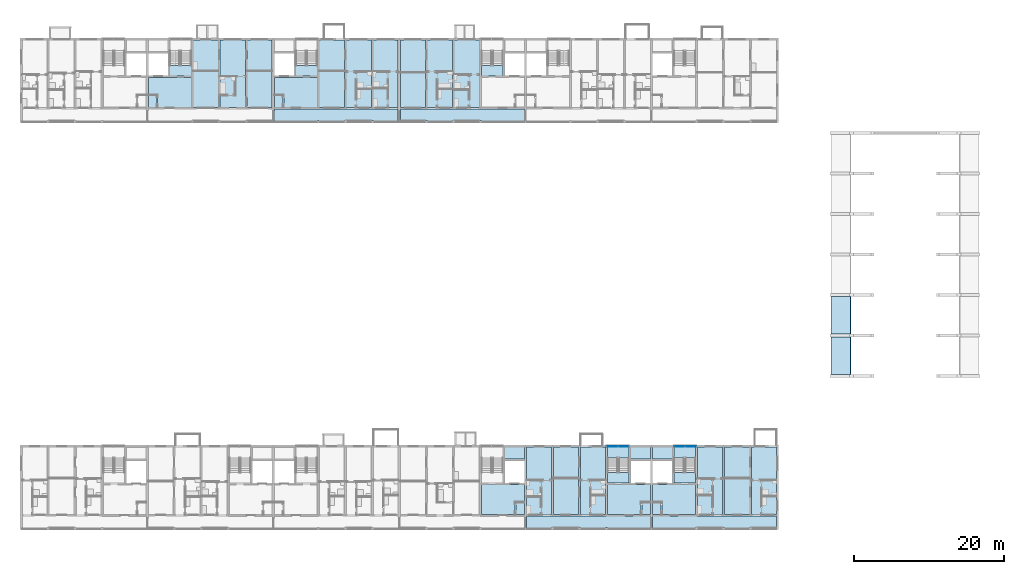
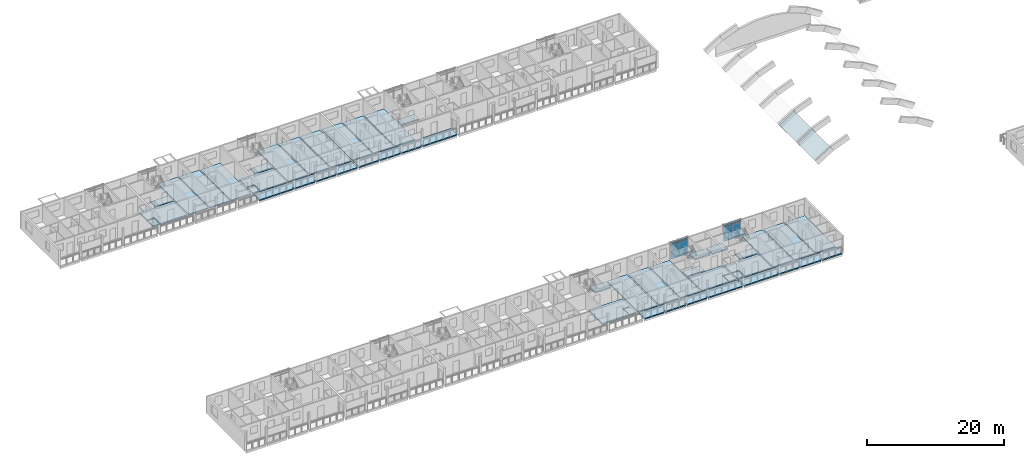
# One storey, part 22 of 99: 41 slabs, 8 plates, 4 elements without a shape of their own.
"""IFC4 building model written with IfcOpenShell, lengths in metres."""

from ifc_helpers import new_model, si_unit, direction, frame, origin, origin_2d, place, context, subcontext, project, spatial, polyline, rectangle, outline, extrude, material, layer, layer_set, type_object, element, aggregate, save


model = new_model("IFC4")

# Units and contexts
model_context = context("Model", 3, precision=1e-05, world=origin(), true_north=direction((0.0, 1.0)))
body_context = subcontext(model_context, "Body", "Model", "MODEL_VIEW")
ifc_project = project(units=[si_unit("LENGTHUNIT", "METRE"), si_unit("AREAUNIT", "SQUARE_METRE"), si_unit("VOLUMEUNIT", "CUBIC_METRE"), si_unit("PLANEANGLEUNIT", "RADIAN"), si_unit("MASSUNIT", "GRAM", prefix="KILO")], contexts=[model_context])

# Site, building, storey
site_placement = place(None, origin())
site = spatial("IfcSite", under=ifc_project, at=site_placement, CompositionType="ELEMENT")
building_placement = place(site_placement, origin())
building = spatial("IfcBuilding", under=site, at=building_placement, Name="Ridgestep Commons", CompositionType="ELEMENT")
storey_placement = place(building_placement, frame((0.0, 0.0, 15.0)))
storey = spatial("IfcBuildingStorey", under=building, at=storey_placement, Name="L05", CompositionType="ELEMENT", Elevation=15.0)

# Slabs
ifc_material_1 = material(Name="Precast concrete C40/50", Category="concrete")
ifc_layer_1 = layer(ifc_material_1, 0.199951171875)
ifc_layer_set_1 = layer_set([ifc_layer_1], Name="Gallery slab 200")
slab_type_1 = type_object("IfcSlabType", Name="Gallery slab 200", PredefinedType="FLOOR", material=ifc_layer_set_1)
slab_1_placement = place(storey_placement, frame((0.0, 0.0, -0.199951171875)))
element("IfcSlab", 1, at=slab_1_placement, inside=storey, type_object=slab_type_1, Name="Gallery slab A5 L05", PredefinedType="FLOOR", context=body_context, shape_type="SweptSolid", body=[
    extrude(outline(polyline([(95.85009765625, 13.550048828125), (79.35009765625, 13.550048828125), (79.35009765625, 11.75), (82.675048828125, 11.75), (82.675048828125, 12.0), (82.925048828125, 12.0), (82.925048828125, 11.75), (86.27490234375, 11.75), (86.27490234375, 12.0), (86.52490234375, 12.0), (86.52490234375, 11.75), (89.875, 11.75), (89.875, 12.0), (90.125, 12.0), (90.125, 11.75), (95.85009765625, 11.75), (95.85009765625, 13.550048828125)])), origin(), (0.0, 0.0, 1.0), 0.199951171875),
])
slab_2_placement = place(storey_placement, frame((0.0, 0.0, -0.199951171875)))
element("IfcSlab", 2, at=slab_2_placement, inside=storey, type_object=slab_type_1, Name="Gallery slab A6 L05", PredefinedType="FLOOR", context=body_context, shape_type="SweptSolid", body=[
    extrude(outline(polyline([(112.64990234375, 13.550048828125), (96.14990234375, 13.550048828125), (96.14990234375, 11.75), (101.875, 11.75), (101.875, 12.0), (102.125, 12.0), (102.125, 11.75), (105.47509765625, 11.75), (105.47509765625, 12.0), (105.72509765625, 12.0), (105.72509765625, 11.75), (109.074951171875, 11.75), (109.074951171875, 12.0), (109.324951171875, 12.0), (109.324951171875, 11.75), (112.64990234375, 11.75), (112.64990234375, 13.550048828125)])), origin(), (0.0, 0.0, 1.0), 0.199951171875),
])
slab_3_placement = place(storey_placement, frame((0.0, 0.0, -0.199951171875)))
element("IfcSlab", 3, at=slab_3_placement, inside=storey, type_object=slab_type_1, Name="Gallery slab B3 L05", PredefinedType="FLOOR", context=body_context, shape_type="SweptSolid", body=[
    extrude(outline(polyline([(62.25, 67.800048828125), (45.75, 67.800048828125), (45.75, 66.0), (51.47509765625, 66.0), (51.47509765625, 66.25), (51.72509765625, 66.25), (51.72509765625, 66.0), (55.074951171875, 66.0), (55.074951171875, 66.25), (55.324951171875, 66.25), (55.324951171875, 66.0), (58.675048828125, 66.0), (58.675048828125, 66.25), (58.925048828125, 66.25), (58.925048828125, 66.0), (62.25, 66.0), (62.25, 67.800048828125)])), origin(), (0.0, 0.0, 1.0), 0.199951171875),
])
slab_4_placement = place(storey_placement, frame((0.0, 0.0, -0.199951171875)))
element("IfcSlab", 4, at=slab_4_placement, inside=storey, type_object=slab_type_1, Name="Gallery slab B4 L05", PredefinedType="FLOOR", context=body_context, shape_type="SweptSolid", body=[
    extrude(outline(polyline([(79.050048828125, 67.800048828125), (62.550048828125, 67.800048828125), (62.550048828125, 66.0), (65.875, 66.0), (65.875, 66.25), (66.125, 66.25), (66.125, 66.0), (69.47509765625, 66.0), (69.47509765625, 66.25), (69.72509765625, 66.25), (69.72509765625, 66.0), (73.074951171875, 66.0), (73.074951171875, 66.25), (73.324951171875, 66.25), (73.324951171875, 66.0), (79.050048828125, 66.0), (79.050048828125, 67.800048828125)])), origin(), (0.0, 0.0, 1.0), 0.199951171875),
])

# Curtain wall, plates
ifc_material_2 = material(Name="Aluminium 6063-T6 and glass", Category="aluminium")
curtain_wall_type = type_object("IfcCurtainWallType", Name="Curtain wall stair strip", PredefinedType="NOTDEFINED", material=ifc_material_2)
curtain_wall_1_placement = place(storey_placement, origin())
curtain_wall_1 = element("IfcCurtainWall", 5, at=curtain_wall_1_placement, inside=storey, type_object=curtain_wall_type, Name="Curtain wall A5C level 05", PredefinedType="NOTDEFINED")
ifc_material_3 = material(Name="Glass laminated 6/16/6 low-emissivity", Category="glass")
ifc_layer_2 = layer(ifc_material_3, 0.028076171875)
ifc_layer_set_2 = layer_set([ifc_layer_2], Name="Glazing panel 28")
plate_type_1 = type_object("IfcPlateType", Name="Glazing panel 28", PredefinedType="CURTAIN_PANEL", material=ifc_layer_set_2)
plate_1_placement = place(storey_placement, frame((90.771240234375, 22.830078125, 0.06005859375), z_axis=(0.0, 0.0, 1.0), x_axis=(1.0, 0.0, 0.0)))
plate_1 = element("IfcPlate", 6, at=plate_1_placement, type_object=plate_type_1, Name="CW1 panel 1.1", PredefinedType="CURTAIN_PANEL", context=body_context, shape_type="SweptSolid", body=[
    extrude(rectangle(XDim=1.422607421875, YDim=0.028076171875, at=origin_2d()), origin(), (0.0, 0.0, 1.0), 2.5),
])
plate_2_placement = place(storey_placement, frame((92.253662109375, 22.830078125, 0.06005859375), z_axis=(0.0, 0.0, 1.0), x_axis=(1.0, 0.0, 0.0)))
plate_2 = element("IfcPlate", 7, at=plate_2_placement, type_object=plate_type_1, Name="CW1 panel 2.1", PredefinedType="CURTAIN_PANEL", context=body_context, shape_type="SweptSolid", body=[
    extrude(rectangle(XDim=1.422607421875, YDim=0.028076171875, at=origin_2d()), origin(), (0.0, 0.0, 1.0), 2.5),
])

curtain_wall_2_placement = place(storey_placement, origin())
curtain_wall_2 = element("IfcCurtainWall", 8, at=curtain_wall_2_placement, inside=storey, type_object=curtain_wall_type, Name="Curtain wall A6C level 05", PredefinedType="NOTDEFINED")
plate_3_placement = place(storey_placement, frame((99.746337890625, 22.830078125, 0.06005859375), z_axis=(0.0, 0.0, 1.0), x_axis=(1.0, 0.0, 0.0)))
plate_3 = element("IfcPlate", 9, at=plate_3_placement, type_object=plate_type_1, Name="CW1 panel 1.1", PredefinedType="CURTAIN_PANEL", context=body_context, shape_type="SweptSolid", body=[
    extrude(rectangle(XDim=1.422607421875, YDim=0.028076171875, at=origin_2d()), origin(), (0.0, 0.0, 1.0), 2.5),
])
plate_4_placement = place(storey_placement, frame((101.228759765625, 22.830078125, 0.06005859375), z_axis=(0.0, 0.0, 1.0), x_axis=(1.0, 0.0, 0.0)))
plate_4 = element("IfcPlate", 10, at=plate_4_placement, type_object=plate_type_1, Name="CW1 panel 2.1", PredefinedType="CURTAIN_PANEL", context=body_context, shape_type="SweptSolid", body=[
    extrude(rectangle(XDim=1.422607421875, YDim=0.028076171875, at=origin_2d()), origin(), (0.0, 0.0, 1.0), 2.5),
])

# Slabs
ifc_material_4 = material(Name="Precast concrete C50/60", Category="concrete")
ifc_layer_3 = layer(ifc_material_4, 0.199951171875)
ifc_layer_set_3 = layer_set([ifc_layer_3], Name="Hall roof plank 200")
slab_type_2 = type_object("IfcSlabType", Name="Hall roof plank 200", PredefinedType="ROOF", material=ifc_layer_set_3)
for number, where, z_axis, x_axis, name in (
    (11, (119.943115234375, 32.39990234375, 1.408935546875), (-0.531363741052, 0.0, 0.847143774512), (0.847143774512, 0.0, 0.531363741052), "Hall barrel vault panel 4"),
    (12, (119.943115234375, 37.800048828125, 1.408935546875), (-0.531363741052, 0.0, 0.847143774512), (0.847143774512, 0.0, 0.531363741052), "Hall barrel vault panel 16"),
):
    element("IfcSlab", number, at=place(storey_placement, frame(where, z_axis=z_axis, x_axis=x_axis)), inside=storey, type_object=slab_type_2, Name=name, PredefinedType="ROOF", context=body_context, shape_type="SweptSolid", body=[
        extrude(outline(polyline([(0.0, 0.0), (3.021411936803373, 0.0), (3.021411936803373, 5.0), (0.0, 5.0), (0.0, 0.0)])), origin(), (0.0, 0.0, -1.0), 0.199951171875),
    ])
ifc_material_5 = material(Name="Precast concrete C50/60", Category="concrete")
ifc_layer_4 = layer(ifc_material_5, 0.199951171875)
ifc_layer_set_4 = layer_set([ifc_layer_4], Name="Hollow-core plank 200")
slab_type_3 = type_object("IfcSlabType", Name="Hollow-core plank 200", PredefinedType="FLOOR", material=ifc_layer_set_4)
slab_5_placement = place(storey_placement, frame((0.0, 0.0, -0.199951171875)))
element("IfcSlab", 13, at=slab_5_placement, inside=storey, type_object=slab_type_3, Name="Floor plank A5T1 L05", PredefinedType="FLOOR", context=body_context, shape_type="SweptSolid", body=[
    extrude(outline(polyline([(82.675048828125, 13.75), (82.675048828125, 22.75), (79.35009765625, 22.75), (79.35009765625, 13.75), (82.675048828125, 13.75)])), origin(), (0.0, 0.0, 1.0), 0.199951171875),
])
slab_6_placement = place(storey_placement, frame((0.0, 0.0, -0.199951171875)))
element("IfcSlab", 14, at=slab_6_placement, inside=storey, type_object=slab_type_3, Name="Floor plank A5T2 L05", PredefinedType="FLOOR", context=body_context, shape_type="SweptSolid", body=[
    extrude(outline(polyline([(86.27490234375, 13.75), (86.27490234375, 22.75), (82.925048828125, 22.75), (82.925048828125, 13.75), (86.27490234375, 13.75)])), origin(), (0.0, 0.0, 1.0), 0.199951171875),
])
slab_7_placement = place(storey_placement, frame((0.0, 0.0, -0.199951171875)))
element("IfcSlab", 15, at=slab_7_placement, inside=storey, type_object=slab_type_3, Name="Floor plank A5T3 L05", PredefinedType="FLOOR", context=body_context, shape_type="SweptSolid", body=[
    extrude(outline(polyline([(89.875, 13.75), (89.875, 22.75), (86.52490234375, 22.75), (86.52490234375, 13.75), (89.875, 13.75)])), origin(), (0.0, 0.0, 1.0), 0.199951171875),
])
slab_8_placement = place(storey_placement, frame((0.0, 0.0, -0.199951171875)))
element("IfcSlab", 16, at=slab_8_placement, inside=storey, type_object=slab_type_3, Name="Floor plank A6T3 L05", PredefinedType="FLOOR", context=body_context, shape_type="SweptSolid", body=[
    extrude(outline(polyline([(105.47509765625, 13.75), (105.47509765625, 22.75), (102.125, 22.75), (102.125, 13.75), (105.47509765625, 13.75)])), origin(), (0.0, 0.0, 1.0), 0.199951171875),
])
slab_9_placement = place(storey_placement, frame((0.0, 0.0, -0.199951171875)))
element("IfcSlab", 17, at=slab_9_placement, inside=storey, type_object=slab_type_3, Name="Floor plank A6T2 L05", PredefinedType="FLOOR", context=body_context, shape_type="SweptSolid", body=[
    extrude(outline(polyline([(109.10009765625, 13.75), (109.10009765625, 22.75), (105.72509765625, 22.75), (105.72509765625, 13.75), (109.10009765625, 13.75)])), origin(), (0.0, 0.0, 1.0), 0.199951171875),
])
slab_10_placement = place(storey_placement, frame((0.0, 0.0, -0.199951171875)))
element("IfcSlab", 18, at=slab_10_placement, inside=storey, type_object=slab_type_3, Name="Floor plank A6T1 L05", PredefinedType="FLOOR", context=body_context, shape_type="SweptSolid", body=[
    extrude(outline(polyline([(112.64990234375, 13.75), (112.64990234375, 22.75), (109.300048828125, 22.75), (109.300048828125, 13.75), (112.64990234375, 13.75)])), origin(), (0.0, 0.0, 1.0), 0.199951171875),
])
slab_11_placement = place(storey_placement, frame((0.0, 0.0, -0.199951171875)))
element("IfcSlab", 19, at=slab_11_placement, inside=storey, type_object=slab_type_3, Name="Floor plank B2T3 L05", PredefinedType="FLOOR", context=body_context, shape_type="SweptSolid", body=[
    extrude(outline(polyline([(38.300048828125, 68.0), (38.300048828125, 77.0), (34.925048828125, 77.0), (34.925048828125, 68.0), (38.300048828125, 68.0)])), origin(), (0.0, 0.0, 1.0), 0.199951171875),
])
slab_12_placement = place(storey_placement, frame((0.0, 0.0, -0.199951171875)))
element("IfcSlab", 20, at=slab_12_placement, inside=storey, type_object=slab_type_3, Name="Floor plank B2T2 L05", PredefinedType="FLOOR", context=body_context, shape_type="SweptSolid", body=[
    extrude(outline(polyline([(41.89990234375, 68.0), (41.89990234375, 77.0), (38.5, 77.0), (38.5, 68.0), (41.89990234375, 68.0)])), origin(), (0.0, 0.0, 1.0), 0.199951171875),
])
slab_13_placement = place(storey_placement, frame((0.0, 0.0, -0.199951171875)))
element("IfcSlab", 21, at=slab_13_placement, inside=storey, type_object=slab_type_3, Name="Floor plank B2T1 L05", PredefinedType="FLOOR", context=body_context, shape_type="SweptSolid", body=[
    extrude(outline(polyline([(45.449951171875, 68.0), (45.449951171875, 77.0), (42.10009765625, 77.0), (42.10009765625, 68.0), (45.449951171875, 68.0)])), origin(), (0.0, 0.0, 1.0), 0.199951171875),
])
slab_14_placement = place(storey_placement, frame((0.0, 0.0, -0.199951171875)))
element("IfcSlab", 22, at=slab_14_placement, inside=storey, type_object=slab_type_3, Name="Floor plank B3T3 L05", PredefinedType="FLOOR", context=body_context, shape_type="SweptSolid", body=[
    extrude(outline(polyline([(55.10009765625, 68.0), (55.10009765625, 77.0), (51.72509765625, 77.0), (51.72509765625, 68.0), (55.10009765625, 68.0)])), origin(), (0.0, 0.0, 1.0), 0.199951171875),
])
slab_15_placement = place(storey_placement, frame((0.0, 0.0, -0.199951171875)))
element("IfcSlab", 23, at=slab_15_placement, inside=storey, type_object=slab_type_3, Name="Floor plank B3T2 L05", PredefinedType="FLOOR", context=body_context, shape_type="SweptSolid", body=[
    extrude(outline(polyline([(58.699951171875, 68.0), (58.699951171875, 77.0), (55.300048828125, 77.0), (55.300048828125, 68.0), (58.699951171875, 68.0)])), origin(), (0.0, 0.0, 1.0), 0.199951171875),
])
slab_16_placement = place(storey_placement, frame((0.0, 0.0, -0.199951171875)))
element("IfcSlab", 24, at=slab_16_placement, inside=storey, type_object=slab_type_3, Name="Floor plank B3T1 L05", PredefinedType="FLOOR", context=body_context, shape_type="SweptSolid", body=[
    extrude(outline(polyline([(62.25, 68.0), (62.25, 77.0), (58.89990234375, 77.0), (58.89990234375, 68.0), (62.25, 68.0)])), origin(), (0.0, 0.0, 1.0), 0.199951171875),
])
slab_17_placement = place(storey_placement, frame((0.0, 0.0, -0.199951171875)))
element("IfcSlab", 25, at=slab_17_placement, inside=storey, type_object=slab_type_3, Name="Floor plank B4T1 L05", PredefinedType="FLOOR", context=body_context, shape_type="SweptSolid", body=[
    extrude(outline(polyline([(65.89990234375, 68.0), (65.89990234375, 77.0), (62.550048828125, 77.0), (62.550048828125, 68.0), (65.89990234375, 68.0)])), origin(), (0.0, 0.0, 1.0), 0.199951171875),
])
slab_18_placement = place(storey_placement, frame((0.0, 0.0, -0.199951171875)))
element("IfcSlab", 26, at=slab_18_placement, inside=storey, type_object=slab_type_3, Name="Floor plank B4T2 L05", PredefinedType="FLOOR", context=body_context, shape_type="SweptSolid", body=[
    extrude(outline(polyline([(69.5, 68.0), (69.5, 77.0), (66.10009765625, 77.0), (66.10009765625, 68.0), (69.5, 68.0)])), origin(), (0.0, 0.0, 1.0), 0.199951171875),
])
slab_19_placement = place(storey_placement, frame((0.0, 0.0, -0.199951171875)))
element("IfcSlab", 27, at=slab_19_placement, inside=storey, type_object=slab_type_3, Name="Floor plank B4T3 L05", PredefinedType="FLOOR", context=body_context, shape_type="SweptSolid", body=[
    extrude(outline(polyline([(73.074951171875, 68.0), (73.074951171875, 77.0), (69.699951171875, 77.0), (69.699951171875, 68.0), (73.074951171875, 68.0)])), origin(), (0.0, 0.0, 1.0), 0.199951171875),
])
ifc_material_6 = material(Name="Precast concrete C50/60", Category="concrete")
ifc_layer_5 = layer(ifc_material_6, 0.25)
ifc_layer_set_5 = layer_set([ifc_layer_5], Name="Hollow-core plank 250")
slab_type_4 = type_object("IfcSlabType", Name="Hollow-core plank 250", PredefinedType="FLOOR", material=ifc_layer_set_5)
slab_20_placement = place(storey_placement, frame((0.0, 0.0, -0.25)))
element("IfcSlab", 28, at=slab_20_placement, inside=storey, type_object=slab_type_4, Name="Floor plank A4C L05", PredefinedType="FLOOR", context=body_context, shape_type="SweptSolid", body=[
    extrude(outline(polyline([(77.919921875, 15.469970703125), (79.050048828125, 15.469970703125), (79.050048828125, 17.75), (73.324951171875, 17.75), (73.324951171875, 13.75), (77.800048828125, 13.75), (77.800048828125, 15.469970703125), (77.919921875, 15.469970703125)])), origin(), (0.0, 0.0, 1.0), 0.25),
])
slab_21_placement = place(storey_placement, frame((0.0, 0.0, -0.25)))
element("IfcSlab", 29, at=slab_21_placement, inside=storey, type_object=slab_type_4, Name="Floor plank A4C L05", PredefinedType="FLOOR", context=body_context, shape_type="SweptSolid", body=[
    extrude(outline(polyline([(79.050048828125, 21.14990234375), (79.050048828125, 22.75), (76.425048828125, 22.75), (76.425048828125, 21.14990234375), (79.050048828125, 21.14990234375)])), origin(), (0.0, 0.0, 1.0), 0.25),
])
slab_22_placement = place(storey_placement, frame((0.0, 0.0, -0.25)))
element("IfcSlab", 30, at=slab_22_placement, inside=storey, type_object=slab_type_4, Name="Floor plank A4C L05", PredefinedType="FLOOR", context=body_context, shape_type="SweptSolid", body=[
    extrude(outline(polyline([(77.919921875, 13.75), (79.050048828125, 13.75), (79.050048828125, 15.35009765625), (77.919921875, 15.35009765625), (77.919921875, 13.75)])), origin(), (0.0, 0.0, 1.0), 0.25),
])
slab_23_placement = place(storey_placement, frame((0.0, 0.0, -0.25)))
element("IfcSlab", 31, at=slab_23_placement, inside=storey, type_object=slab_type_4, Name="Floor plank A5C L05", PredefinedType="FLOOR", context=body_context, shape_type="SweptSolid", body=[
    extrude(outline(polyline([(94.719970703125, 15.469970703125), (95.85009765625, 15.469970703125), (95.85009765625, 17.75), (90.125, 17.75), (90.125, 13.75), (94.60009765625, 13.75), (94.60009765625, 15.469970703125), (94.719970703125, 15.469970703125)])), origin(), (0.0, 0.0, 1.0), 0.25),
])
slab_24_placement = place(storey_placement, frame((0.0, 0.0, -0.25)))
element("IfcSlab", 32, at=slab_24_placement, inside=storey, type_object=slab_type_4, Name="Floor plank A5C L05", PredefinedType="FLOOR", context=body_context, shape_type="SweptSolid", body=[
    extrude(outline(polyline([(95.85009765625, 21.14990234375), (95.85009765625, 22.75), (93.22509765625, 22.75), (93.22509765625, 21.14990234375), (95.85009765625, 21.14990234375)])), origin(), (0.0, 0.0, 1.0), 0.25),
])
slab_25_placement = place(storey_placement, frame((0.0, 0.0, -0.25)))
element("IfcSlab", 33, at=slab_25_placement, inside=storey, type_object=slab_type_4, Name="Floor plank A5C L05", PredefinedType="FLOOR", context=body_context, shape_type="SweptSolid", body=[
    extrude(outline(polyline([(93.02490234375, 17.949951171875), (93.02490234375, 19.35009765625), (90.125, 19.35009765625), (90.125, 17.949951171875), (93.02490234375, 17.949951171875)])), origin(), (0.0, 0.0, 1.0), 0.25),
])
slab_26_placement = place(storey_placement, frame((0.0, 0.0, -0.25)))
element("IfcSlab", 34, at=slab_26_placement, inside=storey, type_object=slab_type_4, Name="Floor plank A5C L05", PredefinedType="FLOOR", context=body_context, shape_type="SweptSolid", body=[
    extrude(outline(polyline([(94.719970703125, 13.75), (95.85009765625, 13.75), (95.85009765625, 15.35009765625), (94.719970703125, 15.35009765625), (94.719970703125, 13.75)])), origin(), (0.0, 0.0, 1.0), 0.25),
])
slab_27_placement = place(storey_placement, frame((0.0, 0.0, -0.25)))
element("IfcSlab", 35, at=slab_27_placement, inside=storey, type_object=slab_type_4, Name="Floor plank A6C L05", PredefinedType="FLOOR", context=body_context, shape_type="SweptSolid", body=[
    extrude(outline(polyline([(97.39990234375, 13.75), (101.875, 13.75), (101.875, 17.75), (96.14990234375, 17.75), (96.14990234375, 15.469970703125), (97.280029296875, 15.469970703125), (97.39990234375, 15.469970703125), (97.39990234375, 13.75)])), origin(), (0.0, 0.0, 1.0), 0.25),
])
slab_28_placement = place(storey_placement, frame((0.0, 0.0, -0.25)))
element("IfcSlab", 36, at=slab_28_placement, inside=storey, type_object=slab_type_4, Name="Floor plank A6C L05", PredefinedType="FLOOR", context=body_context, shape_type="SweptSolid", body=[
    extrude(outline(polyline([(98.77490234375, 22.75), (96.14990234375, 22.75), (96.14990234375, 21.14990234375), (98.77490234375, 21.14990234375), (98.77490234375, 22.75)])), origin(), (0.0, 0.0, 1.0), 0.25),
])
slab_29_placement = place(storey_placement, frame((0.0, 0.0, -0.25)))
element("IfcSlab", 37, at=slab_29_placement, inside=storey, type_object=slab_type_4, Name="Floor plank A6C L05", PredefinedType="FLOOR", context=body_context, shape_type="SweptSolid", body=[
    extrude(outline(polyline([(101.875, 17.949951171875), (101.875, 19.35009765625), (98.97509765625, 19.35009765625), (98.97509765625, 17.949951171875), (101.875, 17.949951171875)])), origin(), (0.0, 0.0, 1.0), 0.25),
])
slab_30_placement = place(storey_placement, frame((0.0, 0.0, -0.25)))
element("IfcSlab", 38, at=slab_30_placement, inside=storey, type_object=slab_type_4, Name="Floor plank A6C L05", PredefinedType="FLOOR", context=body_context, shape_type="SweptSolid", body=[
    extrude(outline(polyline([(97.280029296875, 15.35009765625), (96.14990234375, 15.35009765625), (96.14990234375, 13.75), (97.280029296875, 13.75), (97.280029296875, 15.35009765625)])), origin(), (0.0, 0.0, 1.0), 0.25),
])
slab_31_placement = place(storey_placement, frame((0.0, 0.0, -0.25)))
element("IfcSlab", 39, at=slab_31_placement, inside=storey, type_object=slab_type_4, Name="Floor plank B2C L05", PredefinedType="FLOOR", context=body_context, shape_type="SweptSolid", body=[
    extrude(outline(polyline([(30.199951171875, 68.0), (34.675048828125, 68.0), (34.675048828125, 72.0), (28.949951171875, 72.0), (28.949951171875, 69.719970703125), (30.080078125, 69.719970703125), (30.199951171875, 69.719970703125), (30.199951171875, 68.0)])), origin(), (0.0, 0.0, 1.0), 0.25),
])
slab_32_placement = place(storey_placement, frame((0.0, 0.0, -0.25)))
element("IfcSlab", 40, at=slab_32_placement, inside=storey, type_object=slab_type_4, Name="Floor plank B2C L05", PredefinedType="FLOOR", context=body_context, shape_type="SweptSolid", body=[
    extrude(outline(polyline([(34.675048828125, 72.199951171875), (34.675048828125, 73.60009765625), (31.77490234375, 73.60009765625), (31.77490234375, 72.199951171875), (34.675048828125, 72.199951171875)])), origin(), (0.0, 0.0, 1.0), 0.25),
])
slab_33_placement = place(storey_placement, frame((0.0, 0.0, -0.25)))
element("IfcSlab", 41, at=slab_33_placement, inside=storey, type_object=slab_type_4, Name="Floor plank B2C L05", PredefinedType="FLOOR", context=body_context, shape_type="SweptSolid", body=[
    extrude(outline(polyline([(30.080078125, 69.60009765625), (28.949951171875, 69.60009765625), (28.949951171875, 68.0), (30.080078125, 68.0), (30.080078125, 69.60009765625)])), origin(), (0.0, 0.0, 1.0), 0.25),
])
slab_34_placement = place(storey_placement, frame((0.0, 0.0, -0.25)))
element("IfcSlab", 42, at=slab_34_placement, inside=storey, type_object=slab_type_4, Name="Floor plank B3C L05", PredefinedType="FLOOR", context=body_context, shape_type="SweptSolid", body=[
    extrude(outline(polyline([(47.0, 68.0), (51.47509765625, 68.0), (51.47509765625, 72.0), (45.75, 72.0), (45.75, 69.719970703125), (46.8798828125, 69.719970703125), (47.0, 69.719970703125), (47.0, 68.0)])), origin(), (0.0, 0.0, 1.0), 0.25),
])
slab_35_placement = place(storey_placement, frame((0.0, 0.0, -0.25)))
element("IfcSlab", 43, at=slab_35_placement, inside=storey, type_object=slab_type_4, Name="Floor plank B3C L05", PredefinedType="FLOOR", context=body_context, shape_type="SweptSolid", body=[
    extrude(outline(polyline([(51.47509765625, 72.199951171875), (51.47509765625, 73.60009765625), (48.574951171875, 73.60009765625), (48.574951171875, 72.199951171875), (51.47509765625, 72.199951171875)])), origin(), (0.0, 0.0, 1.0), 0.25),
])
slab_36_placement = place(storey_placement, frame((0.0, 0.0, -0.25)))
element("IfcSlab", 44, at=slab_36_placement, inside=storey, type_object=slab_type_4, Name="Floor plank B3C L05", PredefinedType="FLOOR", context=body_context, shape_type="SweptSolid", body=[
    extrude(outline(polyline([(46.8798828125, 69.60009765625), (45.75, 69.60009765625), (45.75, 68.0), (46.8798828125, 68.0), (46.8798828125, 69.60009765625)])), origin(), (0.0, 0.0, 1.0), 0.25),
])
slab_37_placement = place(storey_placement, frame((0.0, 0.0, -0.25)))
element("IfcSlab", 45, at=slab_37_placement, inside=storey, type_object=slab_type_4, Name="Floor plank B4C L05", PredefinedType="FLOOR", context=body_context, shape_type="SweptSolid", body=[
    extrude(outline(polyline([(76.22509765625, 72.199951171875), (76.22509765625, 73.60009765625), (73.324951171875, 73.60009765625), (73.324951171875, 72.199951171875), (76.22509765625, 72.199951171875)])), origin(), (0.0, 0.0, 1.0), 0.25),
])

# Plate
ifc_material_7 = material(Name="Aluminium 6063-T6 and mineral wool", Category="aluminium")
ifc_layer_6 = layer(ifc_material_7, 0.0400390625)
ifc_layer_set_6 = layer_set([ifc_layer_6], Name="Spandrel panel 40")
plate_type_2 = type_object("IfcPlateType", Name="Spandrel panel 40", PredefinedType="CURTAIN_PANEL", material=ifc_layer_set_6)
plate_5_placement = place(storey_placement, frame((90.771240234375, 22.830078125, 2.6201171875), z_axis=(0.0, 0.0, 1.0), x_axis=(1.0, 0.0, 0.0)))
plate_5 = element("IfcPlate", 46, at=plate_5_placement, type_object=plate_type_2, Name="CW1 panel 1.2", PredefinedType="CURTAIN_PANEL", context=body_context, shape_type="SweptSolid", body=[
    extrude(rectangle(XDim=1.422607421875, YDim=0.0400390625, at=origin_2d()), origin(), (0.0, 0.0, 1.0), 0.320068359375),
])

plate_6_placement = place(storey_placement, frame((92.253662109375, 22.830078125, 2.6201171875), z_axis=(0.0, 0.0, 1.0), x_axis=(1.0, 0.0, 0.0)))
plate_6 = element("IfcPlate", 47, at=plate_6_placement, type_object=plate_type_2, Name="CW1 panel 2.2", PredefinedType="CURTAIN_PANEL", context=body_context, shape_type="SweptSolid", body=[
    extrude(rectangle(XDim=1.422607421875, YDim=0.0400390625, at=origin_2d()), origin(), (0.0, 0.0, 1.0), 0.320068359375),
])

aggregate(curtain_wall_1, [plate_1, plate_5, plate_2, plate_6])

plate_7_placement = place(storey_placement, frame((99.746337890625, 22.830078125, 2.6201171875), z_axis=(0.0, 0.0, 1.0), x_axis=(1.0, 0.0, 0.0)))
plate_7 = element("IfcPlate", 48, at=plate_7_placement, type_object=plate_type_2, Name="CW1 panel 1.2", PredefinedType="CURTAIN_PANEL", context=body_context, shape_type="SweptSolid", body=[
    extrude(rectangle(XDim=1.422607421875, YDim=0.0400390625, at=origin_2d()), origin(), (0.0, 0.0, 1.0), 0.320068359375),
])

plate_8_placement = place(storey_placement, frame((101.228759765625, 22.830078125, 2.6201171875), z_axis=(0.0, 0.0, 1.0), x_axis=(1.0, 0.0, 0.0)))
plate_8 = element("IfcPlate", 49, at=plate_8_placement, type_object=plate_type_2, Name="CW1 panel 2.2", PredefinedType="CURTAIN_PANEL", context=body_context, shape_type="SweptSolid", body=[
    extrude(rectangle(XDim=1.422607421875, YDim=0.0400390625, at=origin_2d()), origin(), (0.0, 0.0, 1.0), 0.320068359375),
])

aggregate(curtain_wall_2, [plate_3, plate_7, plate_4, plate_8])

# Stair, slab
ifc_material_8 = material(Name="Precast concrete C40/50", Category="concrete")
stair_type = type_object("IfcStairType", Name="Escape stair 1400", PredefinedType="HALF_TURN_STAIR", material=ifc_material_8)
stair_1_placement = place(storey_placement, origin())
stair_1 = element("IfcStair", 50, at=stair_1_placement, inside=storey, type_object=stair_type, Name="L05 Escape stair A5C", PredefinedType="HALF_TURN_STAIR")
ifc_material_9 = material(Name="Precast concrete C40/50", Category="concrete")
ifc_layer_7 = layer(ifc_material_9, 0.199951171875)
ifc_layer_set_7 = layer_set([ifc_layer_7], Name="Stair landing 200")
slab_type_5 = type_object("IfcSlabType", Name="Stair landing 200", PredefinedType="LANDING", material=ifc_layer_set_7)
slab_38_placement = place(storey_placement, frame((0.0, 0.0, 1.300048828125)))
slab_38 = element("IfcSlab", 51, at=slab_38_placement, type_object=slab_type_5, Name="A5C landing 1", PredefinedType="LANDING", context=body_context, shape_type="SweptSolid", body=[
    extrude(outline(polyline([(93.02490234375, 21.31005859375), (93.02490234375, 22.75), (90.125, 22.75), (90.125, 21.31005859375), (93.02490234375, 21.31005859375)])), origin(), (0.0, 0.0, 1.0), 0.199951171875),
])
aggregate(stair_1, [slab_38])

stair_2_placement = place(storey_placement, origin())
stair_2 = element("IfcStair", 52, at=stair_2_placement, inside=storey, type_object=stair_type, Name="L05 Escape stair A6C", PredefinedType="HALF_TURN_STAIR")
slab_39_placement = place(storey_placement, frame((0.0, 0.0, 1.300048828125)))
slab_39 = element("IfcSlab", 53, at=slab_39_placement, type_object=slab_type_5, Name="A6C landing 1", PredefinedType="LANDING", context=body_context, shape_type="SweptSolid", body=[
    extrude(outline(polyline([(101.875, 21.31005859375), (101.875, 22.75), (98.97509765625, 22.75), (98.97509765625, 21.31005859375), (101.875, 21.31005859375)])), origin(), (0.0, 0.0, 1.0), 0.199951171875),
])
aggregate(stair_2, [slab_39])

save(model, "model.ifc")
